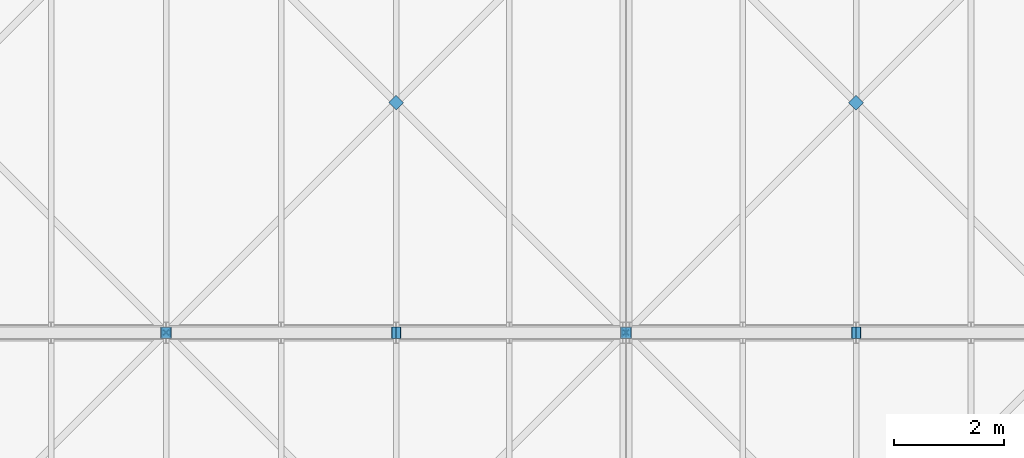
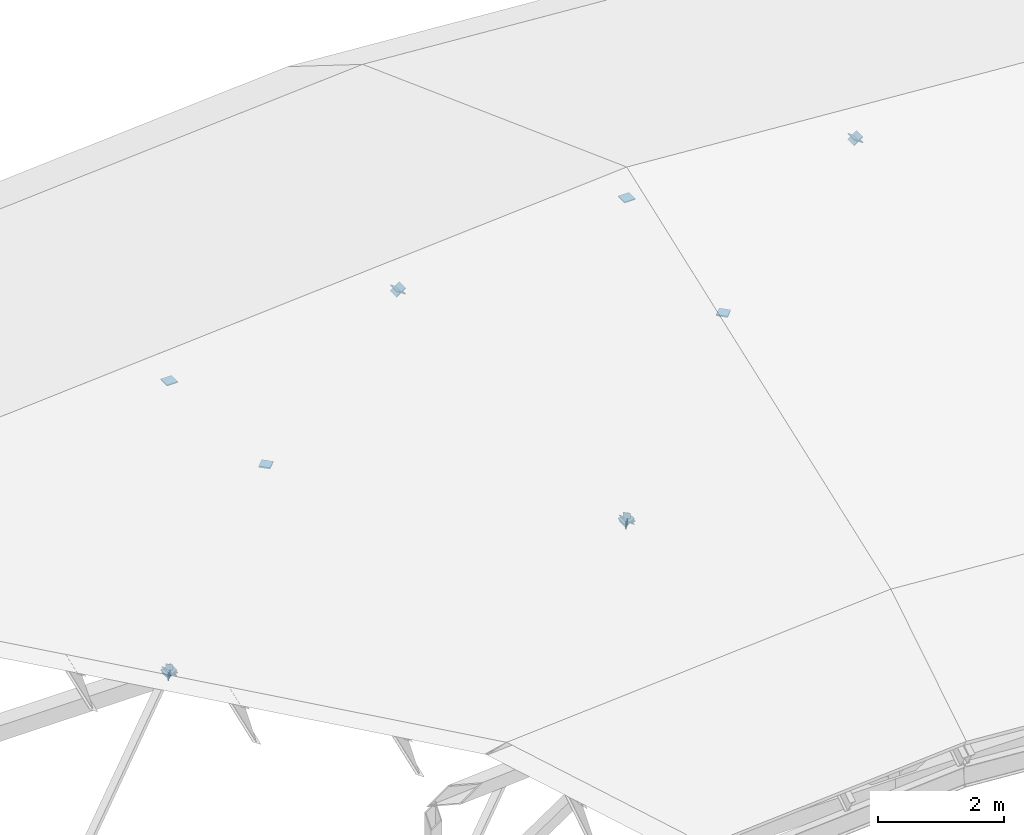
# One storey, part 63 of 76: 18 discrete accessories.
"""IFC4 building model written with IfcOpenShell, lengths in metres."""

from ifc_helpers import new_model, si_unit, direction, frame, origin, origin_2d, place, context, subcontext, project, spatial, rectangle, extrude, material, element, save


model = new_model("IFC4")

# Units and contexts
model_context = context("Model", 3, precision=1e-05, world=origin(), true_north=direction((0.0, 1.0)))
body_context = subcontext(model_context, "Body", "Model", "MODEL_VIEW")
ifc_project = project(units=[si_unit("LENGTHUNIT", "METRE"), si_unit("AREAUNIT", "SQUARE_METRE"), si_unit("VOLUMEUNIT", "CUBIC_METRE"), si_unit("PLANEANGLEUNIT", "RADIAN"), si_unit("MASSUNIT", "GRAM", prefix="KILO")], contexts=[model_context])

# Site, building, storey
site_placement = place(None, origin())
site = spatial("IfcSite", under=ifc_project, at=site_placement, CompositionType="ELEMENT")
building_placement = place(site_placement, origin())
building = spatial("IfcBuilding", under=site, at=building_placement, Name="Hlaing Beacon Police Headquarters", CompositionType="ELEMENT")
storey_placement = place(building_placement, frame((0.0, 0.0, 18.89990234375)))
storey = spatial("IfcBuildingStorey", under=building, at=storey_placement, Name="L04", CompositionType="ELEMENT", Elevation=18.89990234375)

# Discrete accessories
ifc_material = material(Name="Steel ASTM A572 Grade 50", Category="steel")
for number, where, z_axis, x_axis, name in (
    (1, (42.0, 84.0, -2.53759765625), (0.0, 0.0, -1.0), (1.0, 0.0, 0.0), "Gusset plate GP-443"),
    (2, (42.0, 84.0, 3.082763671875), (0.0, 0.0, 1.0), (1.0, 0.0, 0.0), "Gusset plate GP-444"),
    (3, (50.39990234375, 84.0, -2.53759765625), (0.0, 0.0, -1.0), (1.0, 0.0, 0.0), "Gusset plate GP-445"),
    (4, (50.39990234375, 84.0, 3.69482421875), (0.0, 0.0, 1.0), (1.0, 0.0, 0.0), "Gusset plate GP-446"),
):
    element("IfcDiscreteAccessory", number, at=place(storey_placement, frame(where, z_axis=z_axis, x_axis=x_axis)), inside=storey, material=ifc_material, Name=name, PredefinedType="BRACKET", context=body_context, shape_type="SweptSolid", body=[
        extrude(rectangle(XDim=0.203125, YDim=0.203125, at=origin_2d()), origin(), (0.0, 0.0, 1.0), 0.02001953125),
    ])
for number, where, z_axis, x_axis, name in (
    (5, (41.9951171875, 84.0, -2.541259765625), (0.618183326638, 0.0, -0.786033952617), (0.0, 1.0, 0.0), "Gusset plate GP-454"),
    (6, (42.004638671875, 84.0, -2.541015625), (-0.577298315763, 0.0, -0.816533315069), (0.0, -1.0, 0.0), "Gusset plate GP-455"),
    (7, (46.1953125, 84.0, 3.38623046875), (0.577298315763, 0.0, 0.816533315069), (0.0, 1.0, 0.0), "Gusset plate GP-456"),
    (8, (46.20458984375, 84.0, 3.38623046875), (-0.577298315763, 0.0, 0.816533315069), (0.0, -1.0, 0.0), "Gusset plate GP-457"),
    (9, (50.395263671875, 84.0, -2.541015625), (0.577298315763, 0.0, -0.816533315069), (0.0, 1.0, 0.0), "Gusset plate GP-458"),
    (10, (50.404541015625, 84.0, -2.541015625), (-0.577320689127, 0.0, -0.816517496387), (0.0, -1.0, 0.0), "Gusset plate GP-459"),
    (11, (54.595458984375, 84.0, 3.38623046875), (0.577320689127, 0.0, 0.816517496387), (0.0, 1.0, 0.0), "Gusset plate GP-460"),
    (12, (54.604736328125, 84.0, 3.38623046875), (-0.577298315763, 0.0, 0.816533315069), (0.0, -1.0, 0.0), "Gusset plate GP-461"),
):
    element("IfcDiscreteAccessory", number, at=place(storey_placement, frame(where, z_axis=z_axis, x_axis=x_axis)), inside=storey, material=ifc_material, Name=name, PredefinedType="BRACKET", context=body_context, shape_type="SweptSolid", body=[
        extrude(rectangle(XDim=0.203125, YDim=0.203125, at=origin_2d()), origin(), (0.0, 0.0, 1.0), 0.01611328125),
    ])
for number, where, z_axis, x_axis, name in (
    (13, (41.99560546875, 83.99560546875, -2.47412109375), (0.707106781187, 0.707106781187, 0.0), (-0.707106781187, 0.707106781187, 0.0), "Gusset plate GP-494"),
    (14, (50.3955078125, 83.99560546875, -2.47412109375), (0.707106781187, 0.707106781187, 0.0), (-0.707106781187, 0.707106781187, 0.0), "Gusset plate GP-498"),
    (15, (42.004150390625, 83.995849609375, -2.62109375), (-0.707106781187, 0.707106781187, 0.0), (-0.707106781187, -0.707106781187, 0.0), "Gusset plate GP-499"),
    (16, (50.404052734375, 83.995849609375, -2.62109375), (-0.707117056885, 0.707096505339, 0.0), (-0.707096505339, -0.707117056885, 0.0), "Gusset plate GP-503"),
):
    element("IfcDiscreteAccessory", number, at=place(storey_placement, frame(where, z_axis=z_axis, x_axis=x_axis)), inside=storey, material=ifc_material, Name=name, PredefinedType="BRACKET", context=body_context, shape_type="SweptSolid", body=[
        extrude(rectangle(XDim=0.126953125, YDim=0.126953125, at=origin_2d()), origin(), (0.0, 0.0, 1.0), 0.011962890625),
    ])
for number, where, z_axis, x_axis, name in (
    (17, (46.199951171875, 88.199951171875, -2.560546875), (0.0, 0.0, 1.0), (0.707106781187, 0.707106781187, 0.0), "Node plate NP-014"),
    (18, (54.60009765625, 88.199951171875, -2.560546875), (0.0, 0.0, 1.0), (0.707106781187, 0.707106781187, 0.0), "Node plate NP-015"),
):
    element("IfcDiscreteAccessory", number, at=place(storey_placement, frame(where, z_axis=z_axis, x_axis=x_axis)), inside=storey, material=ifc_material, Name=name, PredefinedType="BRACKET", context=body_context, shape_type="SweptSolid", body=[
        extrude(rectangle(XDim=0.1904296875, YDim=0.1904296875, at=origin_2d()), origin(), (0.0, 0.0, 1.0), 0.02587890625),
    ])

save(model, "model.ifc")
